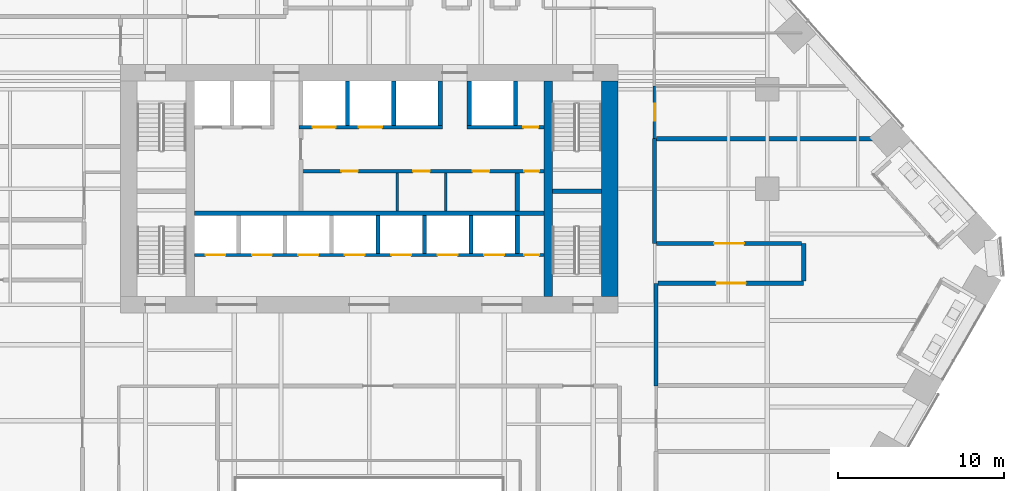
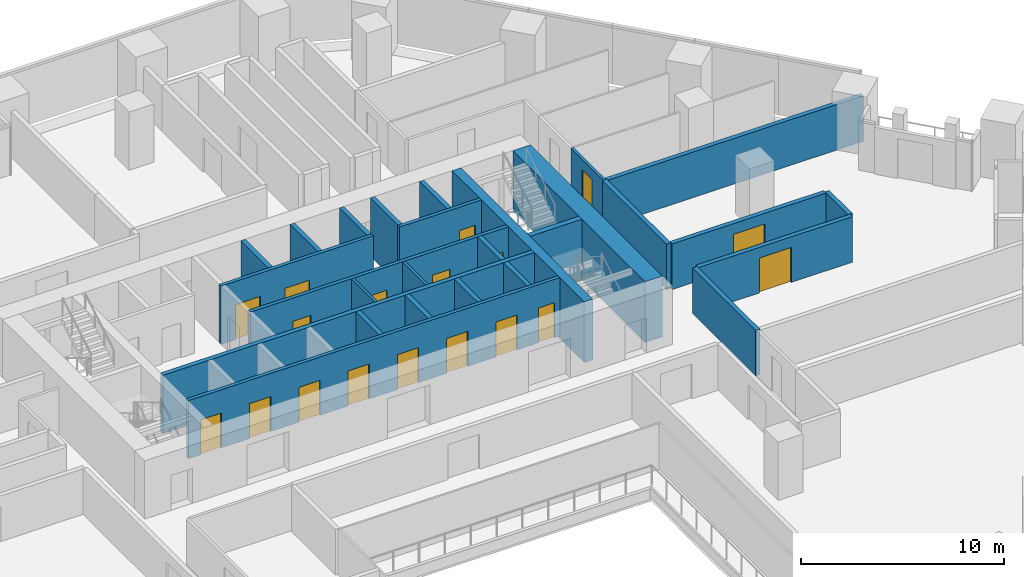
# One storey, part 24 of 31: 27 walls, 18 doors, 18 openings.
"""IFC4 building model written with IfcOpenShell, lengths in metres."""

from ifc_helpers import new_model, si_unit, direction, frame, frame_2d, origin, place, context, subcontext, project, spatial, rectangle, extrude, material, layer, layer_set, type_object, element, fill, save


model = new_model("IFC4")

# Units and contexts
model_context = context("Model", 3, precision=1e-05, world=origin(), true_north=direction((0.0, 1.0)))
body_context = subcontext(model_context, "Body", "Model", "MODEL_VIEW")
ifc_project = project(units=[si_unit("LENGTHUNIT", "METRE"), si_unit("AREAUNIT", "SQUARE_METRE"), si_unit("VOLUMEUNIT", "CUBIC_METRE"), si_unit("PLANEANGLEUNIT", "RADIAN"), si_unit("MASSUNIT", "GRAM", prefix="KILO")], contexts=[model_context])

# Site, building, storey
site_placement = place(None, origin())
site = spatial("IfcSite", under=ifc_project, at=site_placement, CompositionType="ELEMENT")
building_placement = place(site_placement, origin())
building = spatial("IfcBuilding", under=site, at=building_placement, Name="Isthmus Gate Tower", CompositionType="ELEMENT")
storey_placement = place(building_placement, frame((0.0, 0.0, 54.25)))
storey = spatial("IfcBuildingStorey", under=building, at=storey_placement, Name="L11", CompositionType="ELEMENT", Elevation=54.25)

# Walls
ifc_material_1 = material(Name="Double-leaf acoustic stud wall, fire-rated", Category="gypsum")
ifc_layer_1 = layer(ifc_material_1, 0.25)
ifc_layer_set_1 = layer_set([ifc_layer_1], Name="ACOUSTIC WALL 250 60 MIN")
wall_type_1 = type_object("IfcWallType", Name="ACOUSTIC WALL 250 60 MIN", PredefinedType="PARTITIONING", material=ifc_layer_set_1)
wall_1_placement = place(storey_placement, frame((17.199951171875, 10.51708984375, 0.0), z_axis=(0.0, 0.0, 1.0), x_axis=(0.0, -1.0, 0.0)))
element("IfcWall", 1, at=wall_1_placement, inside=storey, type_object=wall_type_1, Name="L11 Acoustic Wall 250 60 Min", PredefinedType="PARTITIONING", context=body_context, shape_type="SweptSolid", body=[
    extrude(rectangle(XDim=6.317138671875, YDim=0.25, at=frame_2d((3.15869140625, 0.0))), origin(), (0.0, 0.0, 1.0), 2.7412109375),
])
wall_2_placement = place(storey_placement, frame((17.300048828125, 1.800048828125, 0.0), z_axis=(0.0, 0.0, 1.0), x_axis=(0.0, -1.0, 0.0)))
element("IfcWall", 2, at=wall_2_placement, inside=storey, type_object=wall_type_1, Name="L11 Acoustic Wall 250 60 Min", PredefinedType="PARTITIONING", context=body_context, shape_type="SweptSolid", body=[
    extrude(rectangle(XDim=6.18994140625, YDim=0.25, at=frame_2d((3.094970703125, 0.0))), origin(), (0.0, 0.0, 1.0), 2.7412109375),
])

# Wall, opening, door
wall_3_placement = place(storey_placement, frame((26.199951171875, 1.800048828125, 0.0), z_axis=(0.0, 0.0, 1.0), x_axis=(-1.0, 0.0, 0.0)))
wall_3 = element("IfcWall", 3, at=wall_3_placement, inside=storey, type_object=wall_type_1, Name="L11 Acoustic Wall 250 60 Min", PredefinedType="PARTITIONING", context=body_context, shape_type="SweptSolid", body=[
    extrude(rectangle(XDim=8.77490234375, YDim=0.25, at=frame_2d((4.387451171875, 0.0))), origin(), (0.0, 0.0, 1.0), 2.7412109375),
])
opening_1_placement = place(wall_3_placement, frame((3.487548828125, 0.0, 0.0)))
opening_1 = element("IfcOpeningElement", 4, at=opening_1_placement, cuts=wall_3, Name="Opening DT-T1B-10", PredefinedType="OPENING", context=body_context, shape_type="SweptSolid", body=[
    extrude(rectangle(XDim=1.800048828125, YDim=2.10009765625, at=frame_2d((0.89990234375, 1.050048828125))), frame((0.0, 0.135009765625, 0.0), z_axis=(0.0, -1.0, 0.0), x_axis=(1.0, 0.0, 0.0)), (0.0, 0.0, 1.0), 0.27001953125),
])
ifc_material_2 = material(Name="Solid core timber door leaf, fire-rated", Category="wood")
door_type_1 = type_object("IfcDoorType", Name="FIRE DOOR ACOUSTIC ROOM 1800 X 2100 60 MIN", OperationType="DOUBLE_DOOR_DOUBLE_SWING", PredefinedType="DOOR", material=ifc_material_2)
door_1_placement = place(opening_1_placement, origin())
door_1 = element("IfcDoor", 5, at=door_1_placement, inside=storey, type_object=door_type_1, Name="L11 room door", OperationType="DOUBLE_DOOR_DOUBLE_SWING", OverallHeight=2.10009765625, OverallWidth=1.800048828125, PredefinedType="DOOR", context=body_context, shape_type="SweptSolid", body=[
    extrude(rectangle(XDim=1.800048828125, YDim=2.10009765625, at=frame_2d((0.89990234375, 1.050048828125))), frame((0.0, 0.02490234375, 0.0), z_axis=(0.0, -1.0, 0.0), x_axis=(1.0, 0.0, 0.0)), (0.0, 0.0, 1.0), 0.050048828125),
])
fill(opening_1, door_1)

# Walls
wall_4_placement = place(storey_placement, frame((26.199951171875, 4.199951171875, 0.0), z_axis=(0.0, 0.0, 1.0), x_axis=(0.0, -1.0, 0.0)))
element("IfcWall", 6, at=wall_4_placement, inside=storey, type_object=wall_type_1, Name="L11 Acoustic Wall 250 60 Min", PredefinedType="PARTITIONING", context=body_context, shape_type="SweptSolid", body=[
    extrude(rectangle(XDim=2.27490234375, YDim=0.25, at=frame_2d((1.137451171875, 0.0))), origin(), (0.0, 0.0, 1.0), 2.7412109375),
])
wall_5_placement = place(storey_placement, frame((17.324951171875, 10.51708984375, 0.0), z_axis=(0.0, 0.0, 1.0), x_axis=(1.0, 0.0, 0.0)))
element("IfcWall", 7, at=wall_5_placement, inside=storey, type_object=wall_type_1, Name="L11 Acoustic Wall 250 60 Min", PredefinedType="PARTITIONING", context=body_context, shape_type="SweptSolid", body=[
    extrude(rectangle(XDim=14.51708984375, YDim=0.25, at=frame_2d((7.258544921875, 0.0))), origin(), (0.0, 0.0, 1.0), 2.7412109375),
])

# Wall, opening, door
wall_6_placement = place(storey_placement, frame((17.324951171875, 4.199951171875, 0.0), z_axis=(0.0, 0.0, 1.0), x_axis=(1.0, 0.0, 0.0)))
wall_6 = element("IfcWall", 8, at=wall_6_placement, inside=storey, type_object=wall_type_1, Name="L11 Acoustic Wall 250 60 Min", PredefinedType="PARTITIONING", context=body_context, shape_type="SweptSolid", body=[
    extrude(rectangle(XDim=8.75, YDim=0.25, at=frame_2d((4.375, 0.0))), origin(), (0.0, 0.0, 1.0), 2.7412109375),
])
opening_2_placement = place(wall_6_placement, frame((3.47509765625, 0.0, 0.0)))
opening_2 = element("IfcOpeningElement", 9, at=opening_2_placement, cuts=wall_6, Name="Opening DT-T1B-11", PredefinedType="OPENING", context=body_context, shape_type="SweptSolid", body=[
    extrude(rectangle(XDim=1.800048828125, YDim=2.10009765625, at=frame_2d((0.89990234375, 1.050048828125))), frame((0.0, 0.135009765625, 0.0), z_axis=(0.0, -1.0, 0.0), x_axis=(1.0, 0.0, 0.0)), (0.0, 0.0, 1.0), 0.27001953125),
])
door_2_placement = place(opening_2_placement, origin())
door_2 = element("IfcDoor", 10, at=door_2_placement, inside=storey, type_object=door_type_1, Name="L11 room door", OperationType="DOUBLE_DOOR_DOUBLE_SWING", OverallHeight=2.10009765625, OverallWidth=1.800048828125, PredefinedType="DOOR", context=body_context, shape_type="SweptSolid", body=[
    extrude(rectangle(XDim=1.800048828125, YDim=2.10009765625, at=frame_2d((0.89990234375, 1.050048828125))), frame((0.0, 0.02490234375, 0.0), z_axis=(0.0, -1.0, 0.0), x_axis=(1.0, 0.0, 0.0)), (0.0, 0.0, 1.0), 0.050048828125),
])
fill(opening_2, door_2)

ifc_material_3 = material(Name="Gypsum board on steel studs, fire-rated", Category="steel")
ifc_layer_2 = layer(ifc_material_3, 0.14990234375)
ifc_layer_set_2 = layer_set([ifc_layer_2], Name="CORRIDOR WALL 150 60 MIN")
wall_type_2 = type_object("IfcWallType", Name="CORRIDOR WALL 150 60 MIN", PredefinedType="PARTITIONING", material=ifc_layer_set_2)
wall_7_placement = place(storey_placement, frame((17.199951171875, 13.708984375, 0.0), z_axis=(0.0, 0.0, 1.0), x_axis=(0.0, -1.0, 0.0)))
wall_7 = element("IfcWall", 11, at=wall_7_placement, inside=storey, type_object=wall_type_2, Name="L11 Corridor Wall 150 60 Min", PredefinedType="PARTITIONING", context=body_context, shape_type="SweptSolid", body=[
    extrude(rectangle(XDim=3.19189453125, YDim=0.14990234375, at=frame_2d((1.595947265625, 0.0))), origin(), (0.0, 0.0, 1.0), 2.7412109375),
])
opening_3_placement = place(wall_7_placement, frame((1.095947265625, 0.0, 0.0)))
opening_3 = element("IfcOpeningElement", 12, at=opening_3_placement, cuts=wall_7, Name="Opening DT-T1B-08", PredefinedType="OPENING", context=body_context, shape_type="SweptSolid", body=[
    extrude(rectangle(XDim=1.0, YDim=2.10009765625, at=frame_2d((0.5, 1.050048828125))), frame((0.0, 0.0849609375, 0.0), z_axis=(0.0, -1.0, 0.0), x_axis=(1.0, 0.0, 0.0)), (0.0, 0.0, 1.0), 0.169921875),
])
ifc_material_4 = material(Name="Solid core timber door leaf, fire-rated", Category="wood")
door_type_2 = type_object("IfcDoorType", Name="FIRE DOOR ROOM 1000 X 2100 60 MIN", OperationType="SINGLE_SWING_LEFT", PredefinedType="DOOR", material=ifc_material_4)
door_3_placement = place(opening_3_placement, origin())
door_3 = element("IfcDoor", 13, at=door_3_placement, inside=storey, type_object=door_type_2, Name="L11 room door", OperationType="SINGLE_SWING_RIGHT", OverallHeight=2.10009765625, OverallWidth=1.0, PredefinedType="DOOR", context=body_context, shape_type="SweptSolid", body=[
    extrude(rectangle(XDim=1.0, YDim=2.10009765625, at=frame_2d((0.5, 1.050048828125))), frame((0.0, 0.02490234375, 0.0), z_axis=(0.0, -1.0, 0.0), x_axis=(1.0, 0.0, 0.0)), (0.0, 0.0, 1.0), 0.050048828125),
])
fill(opening_3, door_3)

# Walls
ifc_material_5 = material(Name="Concrete f'c 70 MPa", Category="concrete")
ifc_layer_3 = layer(ifc_material_5, 0.5)
ifc_layer_set_3 = layer_set([ifc_layer_3], Name="RC CORE SPINE WALL 500 F'C 70")
wall_type_3 = type_object("IfcWallType", Name="RC CORE SPINE WALL 500 F'C 70", PredefinedType="SOLIDWALL", material=ifc_layer_set_3)
wall_8_placement = place(storey_placement, frame((10.800048828125, 1.0, -0.14990234375), z_axis=(0.0, 0.0, 1.0), x_axis=(0.0, 1.0, 0.0)))
element("IfcWall", 14, at=wall_8_placement, inside=storey, type_object=wall_type_3, Name="str-corewall-L11-SPE", PredefinedType="SOLIDWALL", context=body_context, shape_type="SweptSolid", body=[
    extrude(rectangle(XDim=13.0, YDim=0.5, at=frame_2d((6.5, 0.0))), origin(), (0.0, 0.0, 1.0), 3.64990234375),
])
ifc_material_6 = material(Name="Concrete f'c 70 MPa", Category="concrete")
ifc_layer_4 = layer(ifc_material_6, 1.0)
ifc_layer_set_4 = layer_set([ifc_layer_4], Name="RC CORE WALL 1000 F'C 70")
wall_type_4 = type_object("IfcWallType", Name="RC CORE WALL 1000 F'C 70", PredefinedType="SOLIDWALL", material=ifc_layer_set_4)
wall_9_placement = place(storey_placement, frame((14.5, 1.0, -0.14990234375), z_axis=(0.0, 0.0, 1.0), x_axis=(0.0, 1.0, 0.0)))
element("IfcWall", 15, at=wall_9_placement, inside=storey, type_object=wall_type_4, Name="str-corewall-L11-E", PredefinedType="SOLIDWALL", context=body_context, shape_type="SweptSolid", body=[
    extrude(rectangle(XDim=13.0, YDim=1.0, at=frame_2d((6.5, 0.0))), origin(), (0.0, 0.0, 1.0), 3.64990234375),
])
ifc_material_7 = material(Name="Gypsum board on steel studs, fire-rated", Category="steel")
ifc_layer_5 = layer(ifc_material_7, 0.14990234375)
ifc_layer_set_5 = layer_set([ifc_layer_5], Name="ROOM PARTITION 150 60 MIN")
wall_type_5 = type_object("IfcWallType", Name="ROOM PARTITION 150 60 MIN", PredefinedType="PARTITIONING", material=ifc_layer_set_5)
for number, where, z_axis, x_axis, name in (
    (16, (1.699951171875, 6.14990234375, 0.0), (0.0, 0.0, 1.0), (0.0, 1.0, 0.0), "L11 ROOM PARTITION 150 60 MIN"),
    (17, (4.60009765625, 6.14990234375, 0.0), (0.0, 0.0, 1.0), (0.0, 1.0, 0.0), "L11 ROOM PARTITION 150 60 MIN"),
):
    element("IfcWall", number, at=place(storey_placement, frame(where, z_axis=z_axis, x_axis=x_axis)), inside=storey, type_object=wall_type_5, Name=name, PredefinedType="PARTITIONING", context=body_context, shape_type="SweptSolid", body=[
        extrude(rectangle(XDim=2.300048828125, YDim=0.14990234375, at=frame_2d((1.14990234375, 0.0))), origin(), (0.0, 0.0, 1.0), 3.5),
    ])

# Wall, openings, doors
ifc_material_8 = material(Name="Fire-rated blockwork masonry, 15 MPa", Category="masonry")
ifc_layer_6 = layer(ifc_material_8, 0.199951171875)
ifc_layer_set_6 = layer_set([ifc_layer_6], Name="SHAFT FRONT WALL 200 120 MIN")
wall_type_6 = type_object("IfcWallType", Name="SHAFT FRONT WALL 200 120 MIN", PredefinedType="PARTITIONING", material=ifc_layer_set_6)
wall_10_placement = place(storey_placement, frame((-10.550048828125, 3.5, 0.0), z_axis=(0.0, 0.0, 1.0), x_axis=(1.0, 0.0, 0.0)))
wall_10 = element("IfcWall", 18, at=wall_10_placement, inside=storey, type_object=wall_type_6, Name="L11 SHAFT FRONT WALL 200 120 MIN", PredefinedType="PARTITIONING", context=body_context, shape_type="SweptSolid", body=[
    extrude(rectangle(XDim=21.10009765625, YDim=0.199951171875, at=frame_2d((10.550048828125, 0.0))), origin(), (0.0, 0.0, 1.0), 3.5),
])
opening_4_placement = place(wall_10_placement, frame((0.675048828125, 0.0, 0.0)))
opening_4 = element("IfcOpeningElement", 19, at=opening_4_placement, cuts=wall_10, Name="Opening LD-LA1", PredefinedType="OPENING", context=body_context, shape_type="SweptSolid", body=[
    extrude(rectangle(XDim=1.199951171875, YDim=2.10009765625, at=frame_2d((0.60009765625, 1.050048828125))), frame((0.0, 0.10986328125, 0.0), z_axis=(0.0, -1.0, 0.0), x_axis=(1.0, 0.0, 0.0)), (0.0, 0.0, 1.0), 0.219970703125),
])
opening_5_placement = place(wall_10_placement, frame((3.47509765625, 0.0, 0.0)))
opening_5 = element("IfcOpeningElement", 20, at=opening_5_placement, cuts=wall_10, Name="Opening LD-LA2", PredefinedType="OPENING", context=body_context, shape_type="SweptSolid", body=[
    extrude(rectangle(XDim=1.199951171875, YDim=2.10009765625, at=frame_2d((0.60009765625, 1.050048828125))), frame((0.0, 0.10986328125, 0.0), z_axis=(0.0, -1.0, 0.0), x_axis=(1.0, 0.0, 0.0)), (0.0, 0.0, 1.0), 0.219970703125),
])
opening_6_placement = place(wall_10_placement, frame((6.27490234375, 0.0, 0.0)))
opening_6 = element("IfcOpeningElement", 21, at=opening_6_placement, cuts=wall_10, Name="Opening LD-LA3", PredefinedType="OPENING", context=body_context, shape_type="SweptSolid", body=[
    extrude(rectangle(XDim=1.199951171875, YDim=2.10009765625, at=frame_2d((0.60009765625, 1.050048828125))), frame((0.0, 0.10986328125, 0.0), z_axis=(0.0, -1.0, 0.0), x_axis=(1.0, 0.0, 0.0)), (0.0, 0.0, 1.0), 0.219970703125),
])
opening_7_placement = place(wall_10_placement, frame((9.074951171875, 0.0, 0.0)))
opening_7 = element("IfcOpeningElement", 22, at=opening_7_placement, cuts=wall_10, Name="Opening LD-LA4", PredefinedType="OPENING", context=body_context, shape_type="SweptSolid", body=[
    extrude(rectangle(XDim=1.199951171875, YDim=2.10009765625, at=frame_2d((0.60009765625, 1.050048828125))), frame((0.0, 0.10986328125, 0.0), z_axis=(0.0, -1.0, 0.0), x_axis=(1.0, 0.0, 0.0)), (0.0, 0.0, 1.0), 0.219970703125),
])
opening_8_placement = place(wall_10_placement, frame((11.875, 0.0, 0.0)))
opening_8 = element("IfcOpeningElement", 23, at=opening_8_placement, cuts=wall_10, Name="Opening LD-LA5", PredefinedType="OPENING", context=body_context, shape_type="SweptSolid", body=[
    extrude(rectangle(XDim=1.199951171875, YDim=2.10009765625, at=frame_2d((0.60009765625, 1.050048828125))), frame((0.0, 0.10986328125, 0.0), z_axis=(0.0, -1.0, 0.0), x_axis=(1.0, 0.0, 0.0)), (0.0, 0.0, 1.0), 0.219970703125),
])
opening_9_placement = place(wall_10_placement, frame((14.675048828125, 0.0, 0.0)))
opening_9 = element("IfcOpeningElement", 24, at=opening_9_placement, cuts=wall_10, Name="Opening LD-LA6", PredefinedType="OPENING", context=body_context, shape_type="SweptSolid", body=[
    extrude(rectangle(XDim=1.199951171875, YDim=2.10009765625, at=frame_2d((0.60009765625, 1.050048828125))), frame((0.0, 0.10986328125, 0.0), z_axis=(0.0, -1.0, 0.0), x_axis=(1.0, 0.0, 0.0)), (0.0, 0.0, 1.0), 0.219970703125),
])
opening_10_placement = place(wall_10_placement, frame((17.47509765625, 0.0, 0.0)))
opening_10 = element("IfcOpeningElement", 25, at=opening_10_placement, cuts=wall_10, Name="Opening LD-LA7", PredefinedType="OPENING", context=body_context, shape_type="SweptSolid", body=[
    extrude(rectangle(XDim=1.199951171875, YDim=2.10009765625, at=frame_2d((0.60009765625, 1.050048828125))), frame((0.0, 0.10986328125, 0.0), z_axis=(0.0, -1.0, 0.0), x_axis=(1.0, 0.0, 0.0)), (0.0, 0.0, 1.0), 0.219970703125),
])
opening_11_placement = place(wall_10_placement, frame((19.89990234375, 0.0, 0.0)))
opening_11 = element("IfcOpeningElement", 26, at=opening_11_placement, cuts=wall_10, Name="Opening DC-A04-02", PredefinedType="OPENING", context=body_context, shape_type="SweptSolid", body=[
    extrude(rectangle(XDim=0.89990234375, YDim=2.10009765625, at=frame_2d((0.449951171875, 1.050048828125))), frame((0.0, 0.10986328125, 0.0), z_axis=(0.0, -1.0, 0.0), x_axis=(1.0, 0.0, 0.0)), (0.0, 0.0, 1.0), 0.219970703125),
])
ifc_material_9 = material(Name="Stainless steel sliding leaf", Category="steel")
door_type_3 = type_object("IfcDoorType", Name="LIFT LANDING FIRE DOOR 1200 X 2100 90 MIN", OperationType="DOUBLE_DOOR_SLIDING", PredefinedType="DOOR", material=ifc_material_9)
door_4_placement = place(opening_4_placement, origin())
door_4 = element("IfcDoor", 27, at=door_4_placement, inside=storey, type_object=door_type_3, Name="Lift Landing Door LA1", OperationType="DOUBLE_DOOR_SLIDING", OverallHeight=2.10009765625, OverallWidth=1.199951171875, PredefinedType="DOOR", context=body_context, shape_type="SweptSolid", body=[
    extrude(rectangle(XDim=1.199951171875, YDim=2.10009765625, at=frame_2d((0.60009765625, 1.050048828125))), frame((0.0, 0.02490234375, 0.0), z_axis=(0.0, -1.0, 0.0), x_axis=(1.0, 0.0, 0.0)), (0.0, 0.0, 1.0), 0.050048828125),
])
fill(opening_4, door_4)
door_5_placement = place(opening_5_placement, origin())
door_5 = element("IfcDoor", 28, at=door_5_placement, inside=storey, type_object=door_type_3, Name="Lift Landing Door LA2", OperationType="DOUBLE_DOOR_SLIDING", OverallHeight=2.10009765625, OverallWidth=1.199951171875, PredefinedType="DOOR", context=body_context, shape_type="SweptSolid", body=[
    extrude(rectangle(XDim=1.199951171875, YDim=2.10009765625, at=frame_2d((0.60009765625, 1.050048828125))), frame((0.0, 0.02490234375, 0.0), z_axis=(0.0, -1.0, 0.0), x_axis=(1.0, 0.0, 0.0)), (0.0, 0.0, 1.0), 0.050048828125),
])
fill(opening_5, door_5)
door_6_placement = place(opening_6_placement, origin())
door_6 = element("IfcDoor", 29, at=door_6_placement, inside=storey, type_object=door_type_3, Name="Lift Landing Door LA3", OperationType="DOUBLE_DOOR_SLIDING", OverallHeight=2.10009765625, OverallWidth=1.199951171875, PredefinedType="DOOR", context=body_context, shape_type="SweptSolid", body=[
    extrude(rectangle(XDim=1.199951171875, YDim=2.10009765625, at=frame_2d((0.60009765625, 1.050048828125))), frame((0.0, 0.02490234375, 0.0), z_axis=(0.0, -1.0, 0.0), x_axis=(1.0, 0.0, 0.0)), (0.0, 0.0, 1.0), 0.050048828125),
])
fill(opening_6, door_6)
door_7_placement = place(opening_7_placement, origin())
door_7 = element("IfcDoor", 30, at=door_7_placement, inside=storey, type_object=door_type_3, Name="Lift Landing Door LA4", OperationType="DOUBLE_DOOR_SLIDING", OverallHeight=2.10009765625, OverallWidth=1.199951171875, PredefinedType="DOOR", context=body_context, shape_type="SweptSolid", body=[
    extrude(rectangle(XDim=1.199951171875, YDim=2.10009765625, at=frame_2d((0.60009765625, 1.050048828125))), frame((0.0, 0.02490234375, 0.0), z_axis=(0.0, -1.0, 0.0), x_axis=(1.0, 0.0, 0.0)), (0.0, 0.0, 1.0), 0.050048828125),
])
fill(opening_7, door_7)
door_8_placement = place(opening_8_placement, origin())
door_8 = element("IfcDoor", 31, at=door_8_placement, inside=storey, type_object=door_type_3, Name="Lift Landing Door LA5", OperationType="DOUBLE_DOOR_SLIDING", OverallHeight=2.10009765625, OverallWidth=1.199951171875, PredefinedType="DOOR", context=body_context, shape_type="SweptSolid", body=[
    extrude(rectangle(XDim=1.199951171875, YDim=2.10009765625, at=frame_2d((0.60009765625, 1.050048828125))), frame((0.0, 0.02490234375, 0.0), z_axis=(0.0, -1.0, 0.0), x_axis=(1.0, 0.0, 0.0)), (0.0, 0.0, 1.0), 0.050048828125),
])
fill(opening_8, door_8)
door_9_placement = place(opening_9_placement, origin())
door_9 = element("IfcDoor", 32, at=door_9_placement, inside=storey, type_object=door_type_3, Name="Lift Landing Door LA6", OperationType="DOUBLE_DOOR_SLIDING", OverallHeight=2.10009765625, OverallWidth=1.199951171875, PredefinedType="DOOR", context=body_context, shape_type="SweptSolid", body=[
    extrude(rectangle(XDim=1.199951171875, YDim=2.10009765625, at=frame_2d((0.60009765625, 1.050048828125))), frame((0.0, 0.02490234375, 0.0), z_axis=(0.0, -1.0, 0.0), x_axis=(1.0, 0.0, 0.0)), (0.0, 0.0, 1.0), 0.050048828125),
])
fill(opening_9, door_9)
door_10_placement = place(opening_10_placement, origin())
door_10 = element("IfcDoor", 33, at=door_10_placement, inside=storey, type_object=door_type_3, Name="Lift Landing Door LA7", OperationType="DOUBLE_DOOR_SLIDING", OverallHeight=2.10009765625, OverallWidth=1.199951171875, PredefinedType="DOOR", context=body_context, shape_type="SweptSolid", body=[
    extrude(rectangle(XDim=1.199951171875, YDim=2.10009765625, at=frame_2d((0.60009765625, 1.050048828125))), frame((0.0, 0.02490234375, 0.0), z_axis=(0.0, -1.0, 0.0), x_axis=(1.0, 0.0, 0.0)), (0.0, 0.0, 1.0), 0.050048828125),
])
fill(opening_10, door_10)
ifc_material_10 = material(Name="Steel door leaf, fire-rated", Category="steel")
door_type_4 = type_object("IfcDoorType", Name="RISER FIRE DOOR 900 X 2100 90 MIN", OperationType="SINGLE_SWING_LEFT", PredefinedType="DOOR", material=ifc_material_10)
door_11_placement = place(opening_11_placement, origin())
door_11 = element("IfcDoor", 34, at=door_11_placement, inside=storey, type_object=door_type_4, Name="Riser Door", OperationType="SINGLE_SWING_RIGHT", OverallHeight=2.10009765625, OverallWidth=0.89990234375, PredefinedType="DOOR", context=body_context, shape_type="SweptSolid", body=[
    extrude(rectangle(XDim=0.89990234375, YDim=2.10009765625, at=frame_2d((0.449951171875, 1.050048828125))), frame((0.0, 0.02490234375, 0.0), z_axis=(0.0, -1.0, 0.0), x_axis=(1.0, 0.0, 0.0)), (0.0, 0.0, 1.0), 0.050048828125),
])
fill(opening_11, door_11)

wall_11_placement = place(storey_placement, frame((-4.125, 8.550048828125, 0.0), z_axis=(0.0, 0.0, 1.0), x_axis=(1.0, 0.0, 0.0)))
wall_11 = element("IfcWall", 35, at=wall_11_placement, inside=storey, type_object=wall_type_6, Name="L11 SHAFT FRONT WALL 200 120 MIN", PredefinedType="PARTITIONING", context=body_context, shape_type="SweptSolid", body=[
    extrude(rectangle(XDim=14.675048828125, YDim=0.199951171875, at=frame_2d((7.33740234375, 0.0))), origin(), (0.0, 0.0, 1.0), 3.5),
])
opening_12_placement = place(wall_11_placement, frame((2.4375, 0.0, 0.0)))
opening_12 = element("IfcOpeningElement", 36, at=opening_12_placement, cuts=wall_11, Name="Opening DC-A04-03", PredefinedType="OPENING", context=body_context, shape_type="SweptSolid", body=[
    extrude(rectangle(XDim=1.0, YDim=2.10009765625, at=frame_2d((0.5, 1.050048828125))), frame((0.0, 0.10986328125, 0.0), z_axis=(0.0, -1.0, 0.0), x_axis=(1.0, 0.0, 0.0)), (0.0, 0.0, 1.0), 0.219970703125),
])
opening_13_placement = place(wall_11_placement, frame((6.77490234375, 0.0, 0.0)))
opening_13 = element("IfcOpeningElement", 37, at=opening_13_placement, cuts=wall_11, Name="Opening DC-A04-04", PredefinedType="OPENING", context=body_context, shape_type="SweptSolid", body=[
    extrude(rectangle(XDim=1.0, YDim=2.10009765625, at=frame_2d((0.5, 1.050048828125))), frame((0.0, 0.10986328125, 0.0), z_axis=(0.0, -1.0, 0.0), x_axis=(1.0, 0.0, 0.0)), (0.0, 0.0, 1.0), 0.219970703125),
])
opening_14_placement = place(wall_11_placement, frame((10.362548828125, 0.0, 0.0)))
opening_14 = element("IfcOpeningElement", 38, at=opening_14_placement, cuts=wall_11, Name="Opening DC-A04-05", PredefinedType="OPENING", context=body_context, shape_type="SweptSolid", body=[
    extrude(rectangle(XDim=1.0, YDim=2.10009765625, at=frame_2d((0.5, 1.050048828125))), frame((0.0, 0.10986328125, 0.0), z_axis=(0.0, -1.0, 0.0), x_axis=(1.0, 0.0, 0.0)), (0.0, 0.0, 1.0), 0.219970703125),
])
opening_15_placement = place(wall_11_placement, frame((13.47509765625, 0.0, 0.0)))
opening_15 = element("IfcOpeningElement", 39, at=opening_15_placement, cuts=wall_11, Name="Opening DC-A04-06", PredefinedType="OPENING", context=body_context, shape_type="SweptSolid", body=[
    extrude(rectangle(XDim=0.89990234375, YDim=2.10009765625, at=frame_2d((0.449951171875, 1.050048828125))), frame((0.0, 0.10986328125, 0.0), z_axis=(0.0, -1.0, 0.0), x_axis=(1.0, 0.0, 0.0)), (0.0, 0.0, 1.0), 0.219970703125),
])
ifc_material_11 = material(Name="Steel door leaf, fire-rated", Category="steel")
door_type_5 = type_object("IfcDoorType", Name="FIRE DOOR 1000 X 2100 60 MIN", OperationType="SINGLE_SWING_LEFT", PredefinedType="DOOR", material=ifc_material_11)
door_12_placement = place(opening_12_placement, origin())
door_12 = element("IfcDoor", 40, at=door_12_placement, inside=storey, type_object=door_type_5, Name="WC Men Door", OperationType="SINGLE_SWING_LEFT", OverallHeight=2.10009765625, OverallWidth=1.0, PredefinedType="DOOR", context=body_context, shape_type="SweptSolid", body=[
    extrude(rectangle(XDim=1.0, YDim=2.10009765625, at=frame_2d((0.5, 1.050048828125))), frame((0.0, 0.02490234375, 0.0), z_axis=(0.0, -1.0, 0.0), x_axis=(1.0, 0.0, 0.0)), (0.0, 0.0, 1.0), 0.050048828125),
])
fill(opening_12, door_12)
door_13_placement = place(opening_13_placement, origin())
door_13 = element("IfcDoor", 41, at=door_13_placement, inside=storey, type_object=door_type_5, Name="Accessible WC Door", OperationType="SINGLE_SWING_RIGHT", OverallHeight=2.10009765625, OverallWidth=1.0, PredefinedType="DOOR", context=body_context, shape_type="SweptSolid", body=[
    extrude(rectangle(XDim=1.0, YDim=2.10009765625, at=frame_2d((0.5, 1.050048828125))), frame((0.0, 0.02490234375, 0.0), z_axis=(0.0, -1.0, 0.0), x_axis=(1.0, 0.0, 0.0)), (0.0, 0.0, 1.0), 0.050048828125),
])
fill(opening_13, door_13)
door_14_placement = place(opening_14_placement, origin())
door_14 = element("IfcDoor", 42, at=door_14_placement, inside=storey, type_object=door_type_5, Name="WC Women Door", OperationType="SINGLE_SWING_LEFT", OverallHeight=2.10009765625, OverallWidth=1.0, PredefinedType="DOOR", context=body_context, shape_type="SweptSolid", body=[
    extrude(rectangle(XDim=1.0, YDim=2.10009765625, at=frame_2d((0.5, 1.050048828125))), frame((0.0, 0.02490234375, 0.0), z_axis=(0.0, -1.0, 0.0), x_axis=(1.0, 0.0, 0.0)), (0.0, 0.0, 1.0), 0.050048828125),
])
fill(opening_14, door_14)
door_15_placement = place(opening_15_placement, origin())
door_15 = element("IfcDoor", 43, at=door_15_placement, inside=storey, type_object=door_type_4, Name="Riser Door", OperationType="SINGLE_SWING_RIGHT", OverallHeight=2.10009765625, OverallWidth=0.89990234375, PredefinedType="DOOR", context=body_context, shape_type="SweptSolid", body=[
    extrude(rectangle(XDim=0.89990234375, YDim=2.10009765625, at=frame_2d((0.449951171875, 1.050048828125))), frame((0.0, 0.02490234375, 0.0), z_axis=(0.0, -1.0, 0.0), x_axis=(1.0, 0.0, 0.0)), (0.0, 0.0, 1.0), 0.050048828125),
])
fill(opening_15, door_15)

wall_12_placement = place(storey_placement, frame((-4.25, 11.199951171875, 0.0), z_axis=(0.0, 0.0, 1.0), x_axis=(1.0, 0.0, 0.0)))
wall_12 = element("IfcWall", 44, at=wall_12_placement, inside=storey, type_object=wall_type_6, Name="L11 SHAFT FRONT WALL 200 120 MIN", PredefinedType="PARTITIONING", context=body_context, shape_type="SweptSolid", body=[
    extrude(rectangle(XDim=8.64990234375, YDim=0.199951171875, at=frame_2d((4.324951171875, 0.0))), origin(), (0.0, 0.0, 1.0), 3.5),
])
opening_16_placement = place(wall_12_placement, frame((0.824951171875, 0.0, 0.0)))
opening_16 = element("IfcOpeningElement", 45, at=opening_16_placement, cuts=wall_12, Name="Opening LD-LV1", PredefinedType="OPENING", context=body_context, shape_type="SweptSolid", body=[
    extrude(rectangle(XDim=1.39990234375, YDim=2.10009765625, at=frame_2d((0.699951171875, 1.050048828125))), frame((0.0, 0.10986328125, 0.0), z_axis=(0.0, -1.0, 0.0), x_axis=(1.0, 0.0, 0.0)), (0.0, 0.0, 1.0), 0.219970703125),
])
opening_17_placement = place(wall_12_placement, frame((3.625, 0.0, 0.0)))
opening_17 = element("IfcOpeningElement", 46, at=opening_17_placement, cuts=wall_12, Name="Opening LD-LV2", PredefinedType="OPENING", context=body_context, shape_type="SweptSolid", body=[
    extrude(rectangle(XDim=1.39990234375, YDim=2.10009765625, at=frame_2d((0.699951171875, 1.050048828125))), frame((0.0, 0.10986328125, 0.0), z_axis=(0.0, -1.0, 0.0), x_axis=(1.0, 0.0, 0.0)), (0.0, 0.0, 1.0), 0.219970703125),
])
ifc_material_12 = material(Name="Stainless steel sliding leaf", Category="steel")
door_type_6 = type_object("IfcDoorType", Name="LIFT LANDING FIRE DOOR 1400 X 2100 90 MIN", OperationType="DOUBLE_DOOR_SLIDING", PredefinedType="DOOR", material=ifc_material_12)
door_16_placement = place(opening_16_placement, origin())
door_16 = element("IfcDoor", 47, at=door_16_placement, inside=storey, type_object=door_type_6, Name="Lift Landing Door LV1", OperationType="DOUBLE_DOOR_SLIDING", OverallHeight=2.10009765625, OverallWidth=1.39990234375, PredefinedType="DOOR", context=body_context, shape_type="SweptSolid", body=[
    extrude(rectangle(XDim=1.39990234375, YDim=2.10009765625, at=frame_2d((0.699951171875, 1.050048828125))), frame((0.0, 0.02490234375, 0.0), z_axis=(0.0, -1.0, 0.0), x_axis=(1.0, 0.0, 0.0)), (0.0, 0.0, 1.0), 0.050048828125),
])
fill(opening_16, door_16)
door_17_placement = place(opening_17_placement, origin())
door_17 = element("IfcDoor", 48, at=door_17_placement, inside=storey, type_object=door_type_6, Name="Lift Landing Door LV2", OperationType="DOUBLE_DOOR_SLIDING", OverallHeight=2.10009765625, OverallWidth=1.39990234375, PredefinedType="DOOR", context=body_context, shape_type="SweptSolid", body=[
    extrude(rectangle(XDim=1.39990234375, YDim=2.10009765625, at=frame_2d((0.699951171875, 1.050048828125))), frame((0.0, 0.02490234375, 0.0), z_axis=(0.0, -1.0, 0.0), x_axis=(1.0, 0.0, 0.0)), (0.0, 0.0, 1.0), 0.050048828125),
])
fill(opening_17, door_17)

# Wall, opening, door
wall_13_placement = place(storey_placement, frame((5.89990234375, 11.199951171875, 0.0), z_axis=(0.0, 0.0, 1.0), x_axis=(1.0, 0.0, 0.0)))
wall_13 = element("IfcWall", 49, at=wall_13_placement, inside=storey, type_object=wall_type_6, Name="L11 SHAFT FRONT WALL 200 120 MIN", PredefinedType="PARTITIONING", context=body_context, shape_type="SweptSolid", body=[
    extrude(rectangle(XDim=4.650146484375, YDim=0.199951171875, at=frame_2d((2.3251953125, 0.0))), origin(), (0.0, 0.0, 1.0), 3.5),
])
opening_18_placement = place(wall_13_placement, frame((3.39990234375, 0.0, 0.0)))
opening_18 = element("IfcOpeningElement", 50, at=opening_18_placement, cuts=wall_13, Name="Opening DC-A04-07", PredefinedType="OPENING", context=body_context, shape_type="SweptSolid", body=[
    extrude(rectangle(XDim=0.89990234375, YDim=2.10009765625, at=frame_2d((0.449951171875, 1.050048828125))), frame((0.0, 0.10986328125, 0.0), z_axis=(0.0, -1.0, 0.0), x_axis=(1.0, 0.0, 0.0)), (0.0, 0.0, 1.0), 0.219970703125),
])
door_18_placement = place(opening_18_placement, origin())
door_18 = element("IfcDoor", 51, at=door_18_placement, inside=storey, type_object=door_type_4, Name="Riser Door", OperationType="SINGLE_SWING_LEFT", OverallHeight=2.10009765625, OverallWidth=0.89990234375, PredefinedType="DOOR", context=body_context, shape_type="SweptSolid", body=[
    extrude(rectangle(XDim=0.89990234375, YDim=2.10009765625, at=frame_2d((0.449951171875, 1.050048828125))), frame((0.0, 0.02490234375, 0.0), z_axis=(0.0, -1.0, 0.0), x_axis=(1.0, 0.0, 0.0)), (0.0, 0.0, 1.0), 0.050048828125),
])
fill(opening_18, door_18)

# Walls
ifc_material_13 = material(Name="Fire-rated blockwork masonry, 15 MPa", Category="masonry")
ifc_layer_7 = layer(ifc_material_13, 0.25)
ifc_layer_set_7 = layer_set([ifc_layer_7], Name="SHAFT WALL 250 120 MIN")
wall_type_7 = type_object("IfcWallType", Name="SHAFT WALL 250 120 MIN", PredefinedType="PARTITIONING", material=ifc_layer_set_7)
wall_14_placement = place(storey_placement, frame((-10.550048828125, 6.02490234375, 0.0), z_axis=(0.0, 0.0, 1.0), x_axis=(1.0, 0.0, 0.0)))
element("IfcWall", 52, at=wall_14_placement, inside=storey, type_object=wall_type_7, Name="L11 SHAFT WALL 250 120 MIN", PredefinedType="PARTITIONING", context=body_context, shape_type="SweptSolid", body=[
    extrude(rectangle(XDim=21.10009765625, YDim=0.25, at=frame_2d((10.550048828125, 0.0))), origin(), (0.0, 0.0, 1.0), 3.5),
])
for number, where, z_axis, x_axis, name in (
    (53, (0.52490234375, 3.60009765625, 0.0), (0.0, 0.0, 1.0), (0.0, 1.0, 0.0), "L11 SHAFT WALL 250 120 MIN"),
    (54, (3.324951171875, 3.60009765625, 0.0), (0.0, 0.0, 1.0), (0.0, 1.0, 0.0), "L11 SHAFT WALL 250 120 MIN"),
    (55, (6.125, 3.60009765625, 0.0), (0.0, 0.0, 1.0), (0.0, 1.0, 0.0), "L11 SHAFT WALL 250 120 MIN"),
    (56, (8.925048828125, 3.60009765625, 0.0), (0.0, 0.0, 1.0), (0.0, 1.0, 0.0), "L11 SHAFT WALL 250 120 MIN"),
):
    element("IfcWall", number, at=place(storey_placement, frame(where, z_axis=z_axis, x_axis=x_axis)), inside=storey, type_object=wall_type_7, Name=name, PredefinedType="PARTITIONING", context=body_context, shape_type="SweptSolid", body=[
        extrude(rectangle(XDim=2.2998046875, YDim=0.25, at=frame_2d((1.14990234375, 0.0))), origin(), (0.0, 0.0, 1.0), 3.5),
    ])
wall_15_placement = place(storey_placement, frame((8.925048828125, 6.14990234375, 0.0), z_axis=(0.0, 0.0, 1.0), x_axis=(0.0, 1.0, 0.0)))
element("IfcWall", 57, at=wall_15_placement, inside=storey, type_object=wall_type_7, Name="L11 SHAFT WALL 250 120 MIN", PredefinedType="PARTITIONING", context=body_context, shape_type="SweptSolid", body=[
    extrude(rectangle(XDim=2.300048828125, YDim=0.25, at=frame_2d((1.14990234375, 0.0))), origin(), (0.0, 0.0, 1.0), 3.5),
])
for number, where, z_axis, x_axis, name in (
    (58, (-1.324951171875, 11.300048828125, 0.0), (0.0, 0.0, 1.0), (0.0, 1.0, 0.0), "L11 SHAFT WALL 250 120 MIN"),
    (59, (1.47509765625, 11.300048828125, 0.0), (0.0, 0.0, 1.0), (0.0, 1.0, 0.0), "L11 SHAFT WALL 250 120 MIN"),
    (60, (4.27490234375, 11.300048828125, 0.0), (0.0, 0.0, 1.0), (0.0, 1.0, 0.0), "L11 SHAFT WALL 250 120 MIN"),
    (61, (6.02490234375, 11.300048828125, 0.0), (0.0, 0.0, 1.0), (0.0, 1.0, 0.0), "L11 SHAFT WALL 250 120 MIN"),
    (62, (8.824951171875, 11.300048828125, 0.0), (0.0, 0.0, 1.0), (0.0, 1.0, 0.0), "L11 SHAFT WALL 250 120 MIN"),
):
    element("IfcWall", number, at=place(storey_placement, frame(where, z_axis=z_axis, x_axis=x_axis)), inside=storey, type_object=wall_type_7, Name=name, PredefinedType="PARTITIONING", context=body_context, shape_type="SweptSolid", body=[
        extrude(rectangle(XDim=2.699951171875, YDim=0.25, at=frame_2d((1.35009765625, 0.0))), origin(), (0.0, 0.0, 1.0), 3.5),
    ])
ifc_material_14 = material(Name="Concrete f'c 40 MPa", Category="concrete")
ifc_layer_8 = layer(ifc_material_14, 0.300048828125)
ifc_layer_set_8 = layer_set([ifc_layer_8], Name="STAIR ENCLOSURE WALL 300 180 MIN")
wall_type_8 = type_object("IfcWallType", Name="STAIR ENCLOSURE WALL 300 180 MIN", PredefinedType="SOLIDWALL", material=ifc_layer_set_8)
wall_16_placement = place(storey_placement, frame((11.050048828125, 7.35009765625, -0.14990234375), z_axis=(0.0, 0.0, 1.0), x_axis=(1.0, 0.0, 0.0)))
element("IfcWall", 63, at=wall_16_placement, inside=storey, type_object=wall_type_8, Name="L11 STAIR ENCLOSURE WALL 300 180 MIN", PredefinedType="SOLIDWALL", context=body_context, shape_type="SweptSolid", body=[
    extrude(rectangle(XDim=2.949951171875, YDim=0.300048828125, at=frame_2d((1.47509765625, 0.0))), origin(), (0.0, 0.0, 1.0), 3.64990234375),
])

save(model, "model.ifc")
